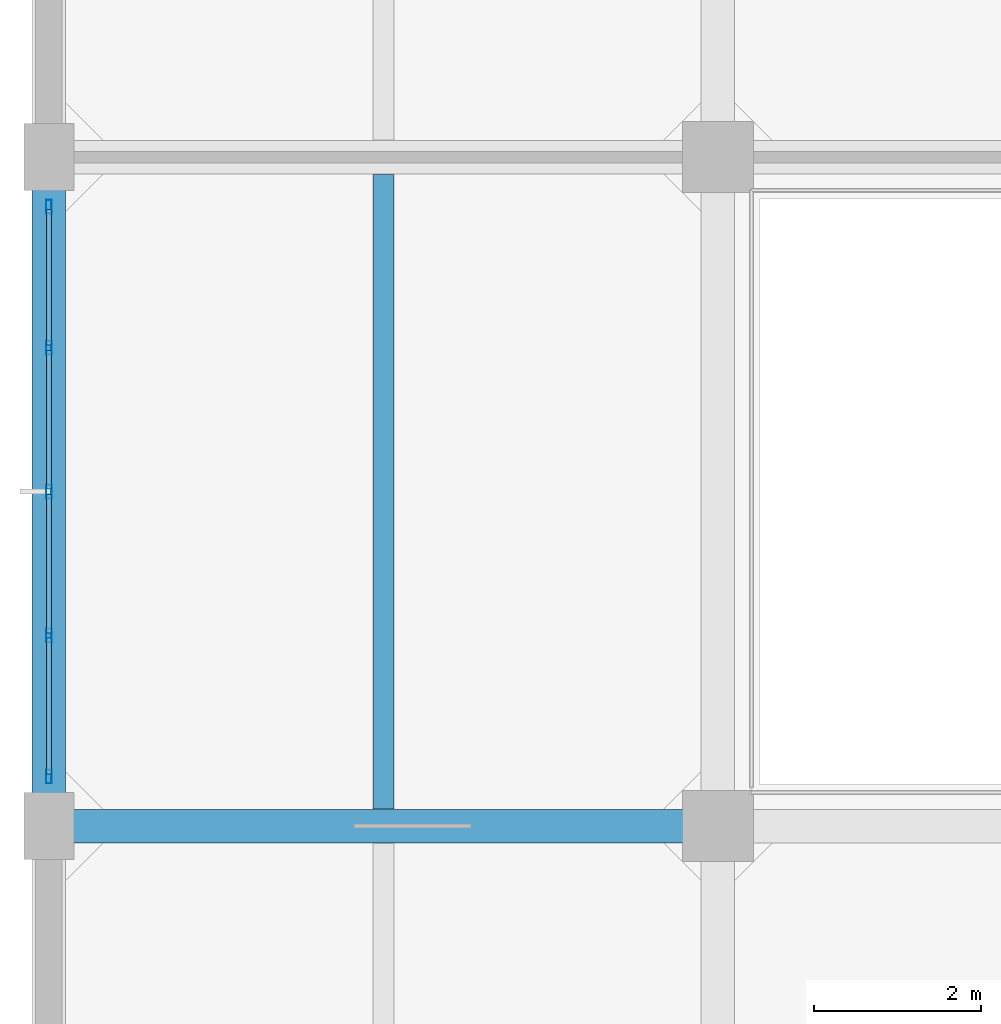
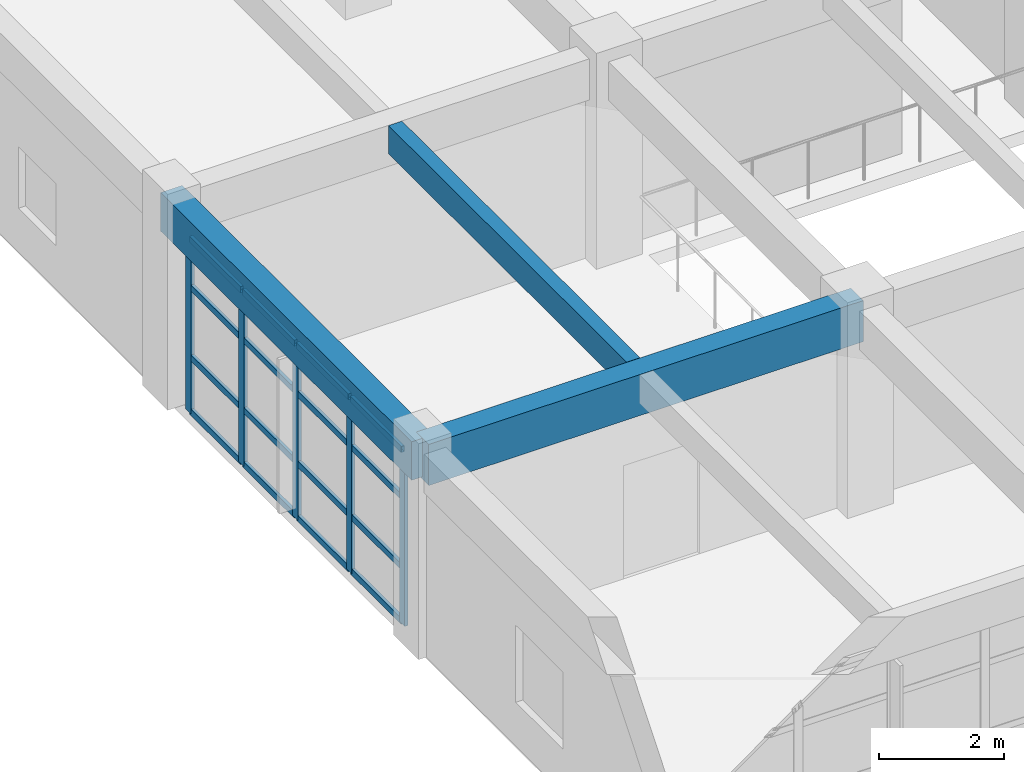
# One storey, part 4 of 30: 21 members, 3 beams, 1 element without a shape of its own.
"""IFC4 building model written with IfcOpenShell, lengths in metres."""

from ifc_helpers import new_model, si_unit, direction, frame, origin, origin_2d, place, context, subcontext, project, spatial, rectangle, hollow_rectangle, extrude, material, layer, layer_set, material_profile, profile_set, type_object, element, aggregate, save


model = new_model("IFC4")

# Units and contexts
model_context = context("Model", 3, precision=1e-05, world=origin(), true_north=direction((0.0, 1.0)))
body_context = subcontext(model_context, "Body", "Model", "MODEL_VIEW")
ifc_project = project(units=[si_unit("LENGTHUNIT", "METRE"), si_unit("AREAUNIT", "SQUARE_METRE"), si_unit("VOLUMEUNIT", "CUBIC_METRE"), si_unit("PLANEANGLEUNIT", "RADIAN"), si_unit("MASSUNIT", "GRAM", prefix="KILO")], contexts=[model_context])

# Site, building, storey
site_placement = place(None, origin())
site = spatial("IfcSite", under=ifc_project, at=site_placement, CompositionType="ELEMENT")
building_placement = place(site_placement, origin())
building = spatial("IfcBuilding", under=site, at=building_placement, Name="Canggui Botanical Conservatory", CompositionType="ELEMENT")
storey_placement = place(building_placement, frame((0.0, 0.0, 19.199951171875)))
storey = spatial("IfcBuildingStorey", under=building, at=storey_placement, Name="L05", CompositionType="ELEMENT", Elevation=19.199951171875)

# Beams
ifc_material_1 = material(Name="Concrete C35", Category="concrete")
ifc_material_profile_1 = material_profile(ifc_material_1, rectangle(XDim=0.25, YDim=0.550048828125, at=origin_2d()), Name="RB 250x550")
ifc_profile_set_1 = profile_set([ifc_material_profile_1], Name="Concrete C35")
beam_type_1 = type_object("IfcBeamType", Name="BM-JST03", PredefinedType="JOIST", material=ifc_profile_set_1)
beam_1_placement = place(storey_placement, frame((142.0, 34.205078125, 3.68505859375), z_axis=(0.0, 1.0, 0.0), x_axis=(-1.0, 0.0, 0.0)))
element("IfcBeam", 1, at=beam_1_placement, inside=storey, type_object=beam_type_1, Name="Secondary Floor Joist L05-1-2", PredefinedType="JOIST", context=body_context, shape_type="SweptSolid", body=[
    extrude(rectangle(XDim=0.25, YDim=0.550048828125, at=origin_2d()), origin(), (0.0, 0.0, 1.0), 7.58984375),
])
ifc_material_profile_2 = material_profile(ifc_material_1, rectangle(XDim=0.39990234375, YDim=0.800048828125, at=origin_2d()), Name="RB 400x800")
ifc_profile_set_2 = profile_set([ifc_material_profile_2], Name="Concrete C35")
beam_type_2 = type_object("IfcBeamType", Name="BM-KL09", PredefinedType="BEAM", material=ifc_profile_set_2)
beam_2_placement = place(storey_placement, frame((138.0, 34.0, 3.56005859375), z_axis=(1.0, 0.0, 0.0), x_axis=(0.0, 1.0, 0.0)))
element("IfcBeam", 2, at=beam_2_placement, inside=storey, type_object=beam_type_2, Name="Frame Girder L05 Y34-1", PredefinedType="BEAM", context=body_context, shape_type="SweptSolid", body=[
    extrude(rectangle(XDim=0.39990234375, YDim=0.800048828125, at=origin_2d()), origin(), (0.0, 0.0, 1.0), 8.0),
])
ifc_material_profile_3 = material_profile(ifc_material_1, rectangle(XDim=0.39990234375, YDim=0.75, at=origin_2d()), Name="RB 400x750")
ifc_profile_set_3 = profile_set([ifc_material_profile_3], Name="Concrete C35")
beam_type_3 = type_object("IfcBeamType", Name="BM-KL10", PredefinedType="BEAM", material=ifc_profile_set_3)
beam_3_placement = place(storey_placement, frame((138.0, 34.0, 3.5849609375), z_axis=(0.0, 1.0, 0.0), x_axis=(-1.0, 0.0, 0.0)))
element("IfcBeam", 3, at=beam_3_placement, inside=storey, type_object=beam_type_3, Name="Frame Girder L05 X138-2", PredefinedType="BEAM", context=body_context, shape_type="SweptSolid", body=[
    extrude(rectangle(XDim=0.39990234375, YDim=0.75, at=origin_2d()), origin(), (0.0, 0.0, 1.0), 8.0),
])

# Curtain wall, members
ifc_material_2 = material(Name="Thermally Broken Aluminium", Category="aluminium")
ifc_layer = layer(ifc_material_2, 0.1650390625, Name="Thermally Broken Aluminium", Category="aluminium")
ifc_layer_set = layer_set([ifc_layer], Name="Thermally Broken Aluminium")
curtain_wall_type = type_object("IfcCurtainWallType", Name="CW-UNIT-B", PredefinedType="USERDEFINED", material=ifc_layer_set)
curtain_wall_placement = place(storey_placement, origin())
curtain_wall = element("IfcCurtainWall", 4, at=curtain_wall_placement, inside=storey, type_object=curtain_wall_type, Name="Facade Curtain Wall CW-TWR-L05-07", ObjectType="UNITISED CURTAIN WALL", PredefinedType="USERDEFINED")
ifc_material_profile_4 = material_profile(ifc_material_2, hollow_rectangle(XDim=0.06494140625, YDim=0.1650390625, WallThickness=0.00390625, at=origin_2d()), Name="CWM 65x165x4")
ifc_profile_set_4 = profile_set([ifc_material_profile_4], Name="Thermally Broken Aluminium")
member_type_1 = type_object("IfcMemberType", Name="CWM-02", PredefinedType="MULLION", material=ifc_profile_set_4)
member_1_placement = place(storey_placement, frame((138.0, 34.592529296875, 0.0), z_axis=(0.0, 0.0, 1.0), x_axis=(-1.0, 0.0, 0.0)))
member_1 = element("IfcMember", 5, at=member_1_placement, type_object=member_type_1, Name="CW-02 mullion 1", PredefinedType="MULLION", context=body_context, shape_type="SweptSolid", body=[
    extrude(hollow_rectangle(XDim=0.06494140625, YDim=0.1650390625, WallThickness=0.00390625, at=origin_2d()), origin(), (0.0, 0.0, 1.0), 3.400146484375),
])
member_2_placement = place(storey_placement, frame((138.0, 36.280029296875, 0.0), z_axis=(0.0, 0.0, 1.0), x_axis=(-1.0, 0.0, 0.0)))
member_2 = element("IfcMember", 6, at=member_2_placement, type_object=member_type_1, Name="CW-02 mullion 2", PredefinedType="MULLION", context=body_context, shape_type="SweptSolid", body=[
    extrude(hollow_rectangle(XDim=0.06494140625, YDim=0.1650390625, WallThickness=0.00390625, at=origin_2d()), origin(), (0.0, 0.0, 1.0), 3.400146484375),
])
member_3_placement = place(storey_placement, frame((138.0, 38.0, 0.0), z_axis=(0.0, 0.0, 1.0), x_axis=(-1.0, 0.0, 0.0)))
member_3 = element("IfcMember", 7, at=member_3_placement, type_object=member_type_1, Name="CW-02 mullion 3", PredefinedType="MULLION", context=body_context, shape_type="SweptSolid", body=[
    extrude(hollow_rectangle(XDim=0.06494140625, YDim=0.1650390625, WallThickness=0.00390625, at=origin_2d()), origin(), (0.0, 0.0, 1.0), 3.400146484375),
])
member_4_placement = place(storey_placement, frame((138.0, 39.719970703125, 0.0), z_axis=(0.0, 0.0, 1.0), x_axis=(-1.0, 0.0, 0.0)))
member_4 = element("IfcMember", 8, at=member_4_placement, type_object=member_type_1, Name="CW-02 mullion 4", PredefinedType="MULLION", context=body_context, shape_type="SweptSolid", body=[
    extrude(hollow_rectangle(XDim=0.06494140625, YDim=0.1650390625, WallThickness=0.00390625, at=origin_2d()), origin(), (0.0, 0.0, 1.0), 3.400146484375),
])
member_5_placement = place(storey_placement, frame((138.0, 41.407470703125, 0.0), z_axis=(0.0, 0.0, 1.0), x_axis=(-1.0, 0.0, 0.0)))
member_5 = element("IfcMember", 9, at=member_5_placement, type_object=member_type_1, Name="CW-02 mullion 5", PredefinedType="MULLION", context=body_context, shape_type="SweptSolid", body=[
    extrude(hollow_rectangle(XDim=0.06494140625, YDim=0.1650390625, WallThickness=0.00390625, at=origin_2d()), origin(), (0.0, 0.0, 1.0), 3.400146484375),
])
ifc_material_profile_5 = material_profile(ifc_material_2, hollow_rectangle(XDim=0.06005859375, YDim=0.1201171875, WallThickness=0.00341796875, at=origin_2d()), Name="CWT 60x120x3.5")
ifc_profile_set_5 = profile_set([ifc_material_profile_5], Name="Thermally Broken Aluminium")
member_type_2 = type_object("IfcMemberType", Name="CWT-02", PredefinedType="USERDEFINED", material=ifc_profile_set_5)
member_6_placement = place(storey_placement, frame((138.0, 34.625, 0.030029296875), z_axis=(0.0, 1.0, 0.0), x_axis=(-1.0, 0.0, 0.0)))
member_6 = element("IfcMember", 10, at=member_6_placement, type_object=member_type_2, Name="CW-02 transom 1.1", ObjectType="TRANSOM", PredefinedType="USERDEFINED", context=body_context, shape_type="SweptSolid", body=[
    extrude(hollow_rectangle(XDim=0.06005859375, YDim=0.1201171875, WallThickness=0.00341796875, at=origin_2d()), origin(), (0.0, 0.0, 1.0), 1.62255859375),
])
member_7_placement = place(storey_placement, frame((138.0, 34.625, 1.088134765625), z_axis=(0.0, 1.0, 0.0), x_axis=(-1.0, 0.0, 0.0)))
member_7 = element("IfcMember", 11, at=member_7_placement, type_object=member_type_2, Name="CW-02 transom 1.2", ObjectType="TRANSOM", PredefinedType="USERDEFINED", context=body_context, shape_type="SweptSolid", body=[
    extrude(hollow_rectangle(XDim=0.06005859375, YDim=0.1201171875, WallThickness=0.00341796875, at=origin_2d()), origin(), (0.0, 0.0, 1.0), 1.62255859375),
])
member_8_placement = place(storey_placement, frame((138.0, 34.625, 2.447998046875), z_axis=(0.0, 1.0, 0.0), x_axis=(-1.0, 0.0, 0.0)))
member_8 = element("IfcMember", 12, at=member_8_placement, type_object=member_type_2, Name="CW-02 transom 1.3", ObjectType="TRANSOM", PredefinedType="USERDEFINED", context=body_context, shape_type="SweptSolid", body=[
    extrude(hollow_rectangle(XDim=0.06005859375, YDim=0.1201171875, WallThickness=0.00341796875, at=origin_2d()), origin(), (0.0, 0.0, 1.0), 1.62255859375),
])
member_9_placement = place(storey_placement, frame((138.0, 34.625, 3.3701171875), z_axis=(0.0, 1.0, 0.0), x_axis=(-1.0, 0.0, 0.0)))
member_9 = element("IfcMember", 13, at=member_9_placement, type_object=member_type_2, Name="CW-02 transom 1.4", ObjectType="TRANSOM", PredefinedType="USERDEFINED", context=body_context, shape_type="SweptSolid", body=[
    extrude(hollow_rectangle(XDim=0.06005859375, YDim=0.1201171875, WallThickness=0.00341796875, at=origin_2d()), origin(), (0.0, 0.0, 1.0), 1.62255859375),
])
member_10_placement = place(storey_placement, frame((138.0, 36.3125, 0.030029296875), z_axis=(0.0, 1.0, 0.0), x_axis=(-1.0, 0.0, 0.0)))
member_10 = element("IfcMember", 14, at=member_10_placement, type_object=member_type_2, Name="CW-02 transom 2.1", ObjectType="TRANSOM", PredefinedType="USERDEFINED", context=body_context, shape_type="SweptSolid", body=[
    extrude(hollow_rectangle(XDim=0.06005859375, YDim=0.1201171875, WallThickness=0.00341796875, at=origin_2d()), origin(), (0.0, 0.0, 1.0), 1.655029296875),
])
member_11_placement = place(storey_placement, frame((138.0, 36.3125, 1.088134765625), z_axis=(0.0, 1.0, 0.0), x_axis=(-1.0, 0.0, 0.0)))
member_11 = element("IfcMember", 15, at=member_11_placement, type_object=member_type_2, Name="CW-02 transom 2.2", ObjectType="TRANSOM", PredefinedType="USERDEFINED", context=body_context, shape_type="SweptSolid", body=[
    extrude(hollow_rectangle(XDim=0.06005859375, YDim=0.1201171875, WallThickness=0.00341796875, at=origin_2d()), origin(), (0.0, 0.0, 1.0), 1.655029296875),
])
member_12_placement = place(storey_placement, frame((138.0, 36.3125, 2.447998046875), z_axis=(0.0, 1.0, 0.0), x_axis=(-1.0, 0.0, 0.0)))
member_12 = element("IfcMember", 16, at=member_12_placement, type_object=member_type_2, Name="CW-02 transom 2.3", ObjectType="TRANSOM", PredefinedType="USERDEFINED", context=body_context, shape_type="SweptSolid", body=[
    extrude(hollow_rectangle(XDim=0.06005859375, YDim=0.1201171875, WallThickness=0.00341796875, at=origin_2d()), origin(), (0.0, 0.0, 1.0), 1.655029296875),
])
member_13_placement = place(storey_placement, frame((138.0, 36.3125, 3.3701171875), z_axis=(0.0, 1.0, 0.0), x_axis=(-1.0, 0.0, 0.0)))
member_13 = element("IfcMember", 17, at=member_13_placement, type_object=member_type_2, Name="CW-02 transom 2.4", ObjectType="TRANSOM", PredefinedType="USERDEFINED", context=body_context, shape_type="SweptSolid", body=[
    extrude(hollow_rectangle(XDim=0.06005859375, YDim=0.1201171875, WallThickness=0.00341796875, at=origin_2d()), origin(), (0.0, 0.0, 1.0), 1.655029296875),
])
member_14_placement = place(storey_placement, frame((138.0, 38.032470703125, 0.030029296875), z_axis=(0.0, 1.0, 0.0), x_axis=(-1.0, 0.0, 0.0)))
member_14 = element("IfcMember", 18, at=member_14_placement, type_object=member_type_2, Name="CW-02 transom 3.1", ObjectType="TRANSOM", PredefinedType="USERDEFINED", context=body_context, shape_type="SweptSolid", body=[
    extrude(hollow_rectangle(XDim=0.06005859375, YDim=0.1201171875, WallThickness=0.00341796875, at=origin_2d()), origin(), (0.0, 0.0, 1.0), 1.655029296875),
])
member_15_placement = place(storey_placement, frame((138.0, 38.032470703125, 1.088134765625), z_axis=(0.0, 1.0, 0.0), x_axis=(-1.0, 0.0, 0.0)))
member_15 = element("IfcMember", 19, at=member_15_placement, type_object=member_type_2, Name="CW-02 transom 3.2", ObjectType="TRANSOM", PredefinedType="USERDEFINED", context=body_context, shape_type="SweptSolid", body=[
    extrude(hollow_rectangle(XDim=0.06005859375, YDim=0.1201171875, WallThickness=0.00341796875, at=origin_2d()), origin(), (0.0, 0.0, 1.0), 1.655029296875),
])
member_16_placement = place(storey_placement, frame((138.0, 38.032470703125, 2.447998046875), z_axis=(0.0, 1.0, 0.0), x_axis=(-1.0, 0.0, 0.0)))
member_16 = element("IfcMember", 20, at=member_16_placement, type_object=member_type_2, Name="CW-02 transom 3.3", ObjectType="TRANSOM", PredefinedType="USERDEFINED", context=body_context, shape_type="SweptSolid", body=[
    extrude(hollow_rectangle(XDim=0.06005859375, YDim=0.1201171875, WallThickness=0.00341796875, at=origin_2d()), origin(), (0.0, 0.0, 1.0), 1.655029296875),
])
member_17_placement = place(storey_placement, frame((138.0, 38.032470703125, 3.3701171875), z_axis=(0.0, 1.0, 0.0), x_axis=(-1.0, 0.0, 0.0)))
member_17 = element("IfcMember", 21, at=member_17_placement, type_object=member_type_2, Name="CW-02 transom 3.4", ObjectType="TRANSOM", PredefinedType="USERDEFINED", context=body_context, shape_type="SweptSolid", body=[
    extrude(hollow_rectangle(XDim=0.06005859375, YDim=0.1201171875, WallThickness=0.00341796875, at=origin_2d()), origin(), (0.0, 0.0, 1.0), 1.655029296875),
])
member_18_placement = place(storey_placement, frame((138.0, 39.75244140625, 0.030029296875), z_axis=(0.0, 1.0, 0.0), x_axis=(-1.0, 0.0, 0.0)))
member_18 = element("IfcMember", 22, at=member_18_placement, type_object=member_type_2, Name="CW-02 transom 4.1", ObjectType="TRANSOM", PredefinedType="USERDEFINED", context=body_context, shape_type="SweptSolid", body=[
    extrude(hollow_rectangle(XDim=0.06005859375, YDim=0.1201171875, WallThickness=0.00341796875, at=origin_2d()), origin(), (0.0, 0.0, 1.0), 1.62255859375),
])
member_19_placement = place(storey_placement, frame((138.0, 39.75244140625, 1.088134765625), z_axis=(0.0, 1.0, 0.0), x_axis=(-1.0, 0.0, 0.0)))
member_19 = element("IfcMember", 23, at=member_19_placement, type_object=member_type_2, Name="CW-02 transom 4.2", ObjectType="TRANSOM", PredefinedType="USERDEFINED", context=body_context, shape_type="SweptSolid", body=[
    extrude(hollow_rectangle(XDim=0.06005859375, YDim=0.1201171875, WallThickness=0.00341796875, at=origin_2d()), origin(), (0.0, 0.0, 1.0), 1.62255859375),
])
member_20_placement = place(storey_placement, frame((138.0, 39.75244140625, 2.447998046875), z_axis=(0.0, 1.0, 0.0), x_axis=(-1.0, 0.0, 0.0)))
member_20 = element("IfcMember", 24, at=member_20_placement, type_object=member_type_2, Name="CW-02 transom 4.3", ObjectType="TRANSOM", PredefinedType="USERDEFINED", context=body_context, shape_type="SweptSolid", body=[
    extrude(hollow_rectangle(XDim=0.06005859375, YDim=0.1201171875, WallThickness=0.00341796875, at=origin_2d()), origin(), (0.0, 0.0, 1.0), 1.62255859375),
])
member_21_placement = place(storey_placement, frame((138.0, 39.75244140625, 3.3701171875), z_axis=(0.0, 1.0, 0.0), x_axis=(-1.0, 0.0, 0.0)))
member_21 = element("IfcMember", 25, at=member_21_placement, type_object=member_type_2, Name="CW-02 transom 4.4", ObjectType="TRANSOM", PredefinedType="USERDEFINED", context=body_context, shape_type="SweptSolid", body=[
    extrude(hollow_rectangle(XDim=0.06005859375, YDim=0.1201171875, WallThickness=0.00341796875, at=origin_2d()), origin(), (0.0, 0.0, 1.0), 1.62255859375),
])
aggregate(curtain_wall, [member_1, member_2, member_3, member_4, member_5, member_6, member_7, member_8, member_9, member_10, member_11, member_12, member_13, member_14, member_15, member_16, member_17, member_18, member_19, member_20, member_21])

save(model, "model.ifc")
